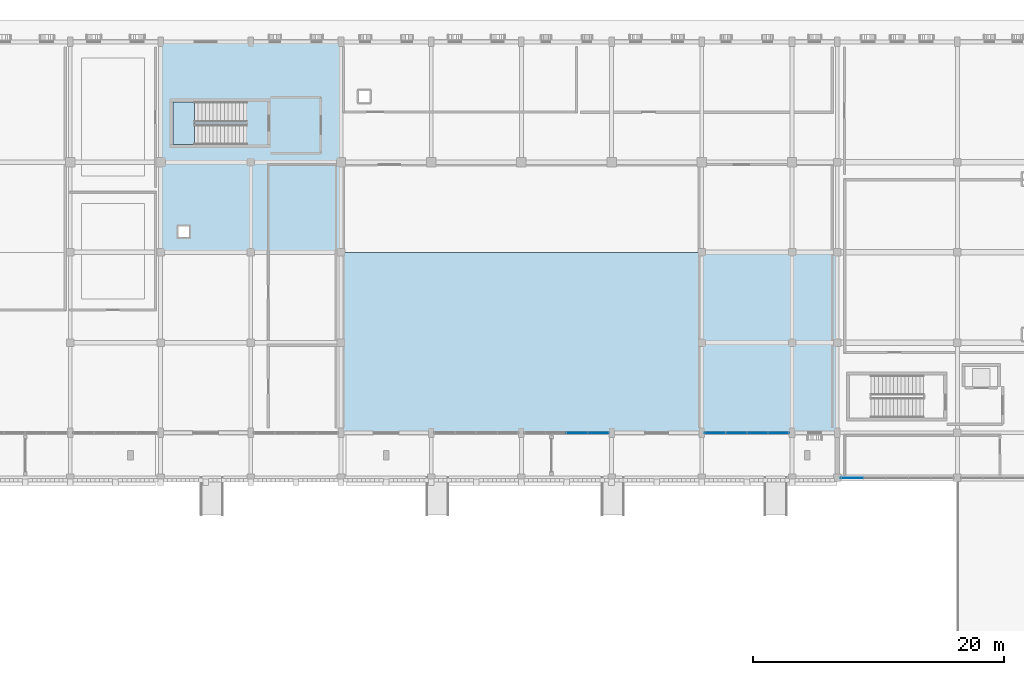
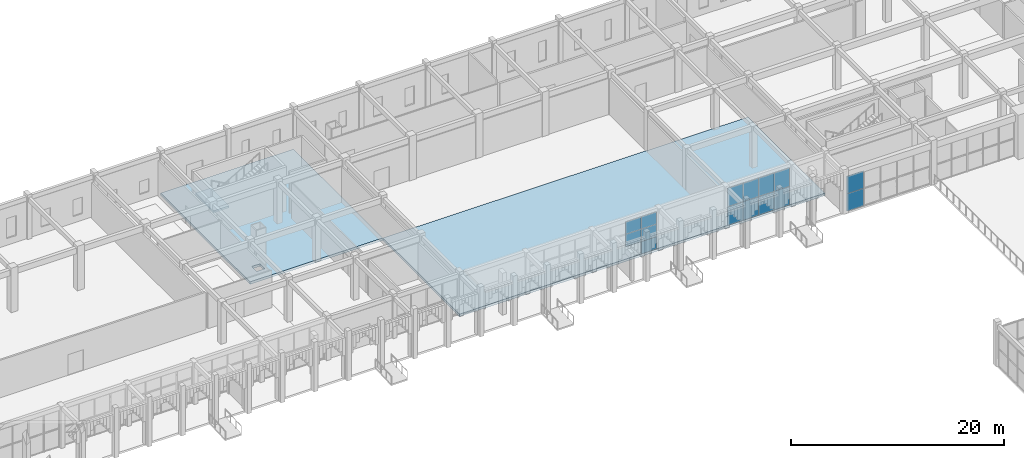
# One storey, part 31 of 72: 15 plates, 3 slabs, 4 elements without a shape of their own.
"""IFC4 building model written with IfcOpenShell, lengths in metres."""

from ifc_helpers import new_model, si_unit, direction, frame, origin, origin_2d, place, context, subcontext, project, spatial, polyline, rectangle, outline, extrude, material, layer, layer_set, type_object, element, aggregate, save


model = new_model("IFC4")

# Units and contexts
model_context = context("Model", 3, precision=1e-05, world=origin(), true_north=direction((0.0, 1.0)))
body_context = subcontext(model_context, "Body", "Model", "MODEL_VIEW")
ifc_project = project(units=[si_unit("LENGTHUNIT", "METRE"), si_unit("AREAUNIT", "SQUARE_METRE"), si_unit("VOLUMEUNIT", "CUBIC_METRE"), si_unit("PLANEANGLEUNIT", "RADIAN"), si_unit("MASSUNIT", "GRAM", prefix="KILO")], contexts=[model_context])

# Site, building, storey
site_placement = place(None, origin())
site = spatial("IfcSite", under=ifc_project, at=site_placement, CompositionType="ELEMENT")
building_placement = place(site_placement, origin())
building = spatial("IfcBuilding", under=site, at=building_placement, Name="Nzembalo Square Collegiate School", CompositionType="ELEMENT")
storey_placement = place(building_placement, origin())
storey = spatial("IfcBuildingStorey", under=building, at=storey_placement, Name="L00", CompositionType="ELEMENT", Elevation=0.0)

# Curtain wall, plates
ifc_material_1 = material(Name="Aluminium 6060-T66", Category="aluminium")
curtain_wall_type_1 = type_object("IfcCurtainWallType", Name="CW-02", PredefinedType="USERDEFINED", material=ifc_material_1)
curtain_wall_1_placement = place(storey_placement, origin())
curtain_wall_1 = element("IfcCurtainWall", 1, at=curtain_wall_1_placement, inside=storey, type_object=curtain_wall_type_1, Name="Curtain wall CW-02 cw:L00:033", ObjectType="UNITISED", PredefinedType="USERDEFINED")
ifc_material_2 = material(Name="Laminated solar-control double glazing", Category="glass")
ifc_layer_1 = layer(ifc_material_2, 0.028076171875, Name="Laminated solar-control double glazing")
ifc_layer_set_1 = layer_set([ifc_layer_1], Name="Laminated solar-control double glazing")
plate_type_1 = type_object("IfcPlateType", Name="PN01", PredefinedType="CURTAIN_PANEL", material=ifc_layer_set_1)
plate_1_placement = place(storey_placement, frame((111.729736328125, 82.800048828125, 0.004150390625), z_axis=(0.0, 0.0, 1.0), x_axis=(1.0, 0.0, 0.0)))
plate_1 = element("IfcPlate", 2, at=plate_1_placement, type_object=plate_type_1, Name="PN01 glazed panel 1-4", PredefinedType="CURTAIN_PANEL", context=body_context, shape_type="SweptSolid", body=[
    extrude(rectangle(XDim=1.678466796875, YDim=0.028076171875, at=origin_2d()), origin(), (0.0, 0.0, 1.0), 1.419921875),
])
plate_2_placement = place(storey_placement, frame((110.043212890625, 82.800048828125, 1.43212890625), z_axis=(0.0, 0.0, 1.0), x_axis=(1.0, 0.0, 0.0)))
plate_2 = element("IfcPlate", 3, at=plate_2_placement, type_object=plate_type_1, Name="PN01 glazed panel 2-3", PredefinedType="CURTAIN_PANEL", context=body_context, shape_type="SweptSolid", body=[
    extrude(rectangle(XDim=1.678466796875, YDim=0.028076171875, at=origin_2d()), origin(), (0.0, 0.0, 1.0), 1.419921875),
])
plate_3_placement = place(storey_placement, frame((111.729736328125, 82.800048828125, 1.43212890625), z_axis=(0.0, 0.0, 1.0), x_axis=(1.0, 0.0, 0.0)))
plate_3 = element("IfcPlate", 4, at=plate_3_placement, type_object=plate_type_1, Name="PN01 glazed panel 2-4", PredefinedType="CURTAIN_PANEL", context=body_context, shape_type="SweptSolid", body=[
    extrude(rectangle(XDim=1.678466796875, YDim=0.028076171875, at=origin_2d()), origin(), (0.0, 0.0, 1.0), 1.419921875),
])
plate_4_placement = place(storey_placement, frame((110.043212890625, 82.800048828125, 2.860107421875), z_axis=(0.0, 0.0, 1.0), x_axis=(1.0, 0.0, 0.0)))
plate_4 = element("IfcPlate", 5, at=plate_4_placement, type_object=plate_type_1, Name="PN01 glazed panel 3-3", PredefinedType="CURTAIN_PANEL", context=body_context, shape_type="SweptSolid", body=[
    extrude(rectangle(XDim=1.678466796875, YDim=0.028076171875, at=origin_2d()), origin(), (0.0, 0.0, 1.0), 1.419921875),
])
plate_5_placement = place(storey_placement, frame((111.729736328125, 82.800048828125, 2.860107421875), z_axis=(0.0, 0.0, 1.0), x_axis=(1.0, 0.0, 0.0)))
plate_5 = element("IfcPlate", 6, at=plate_5_placement, type_object=plate_type_1, Name="PN01 glazed panel 3-4", PredefinedType="CURTAIN_PANEL", context=body_context, shape_type="SweptSolid", body=[
    extrude(rectangle(XDim=1.678466796875, YDim=0.028076171875, at=origin_2d()), origin(), (0.0, 0.0, 1.0), 1.419921875),
])
aggregate(curtain_wall_1, [plate_1, plate_2, plate_3, plate_4, plate_5])

ifc_material_3 = material(Name="Aluminium 6060-T66", Category="aluminium")
curtain_wall_type_2 = type_object("IfcCurtainWallType", Name="CW-11", PredefinedType="USERDEFINED", material=ifc_material_3)
curtain_wall_2_placement = place(storey_placement, origin())
curtain_wall_2 = element("IfcCurtainWall", 7, at=curtain_wall_2_placement, inside=storey, type_object=curtain_wall_type_2, Name="Curtain wall CW-11 cw:L00:022", ObjectType="LANCET", PredefinedType="USERDEFINED")
ifc_material_4 = material(Name="Acoustic laminated solar-control glazing", Category="glass")
ifc_layer_2 = layer(ifc_material_4, 0.031982421875, Name="Acoustic laminated solar-control glazing")
ifc_layer_set_2 = layer_set([ifc_layer_2], Name="Acoustic laminated solar-control glazing")
plate_type_2 = type_object("IfcPlateType", Name="PN02", PredefinedType="CURTAIN_PANEL", material=ifc_layer_set_2)
plate_6_placement = place(storey_placement, frame((132.001708984375, 79.199951171875, 0.00390625), z_axis=(0.0, 0.0, 1.0), x_axis=(1.0, 0.0, 0.0)))
plate_6 = element("IfcPlate", 8, at=plate_6_placement, type_object=plate_type_2, Name="PN02 glazed panel 1-1", PredefinedType="CURTAIN_PANEL", context=body_context, shape_type="SweptSolid", body=[
    extrude(rectangle(XDim=1.791259765625, YDim=0.031982421875, at=origin_2d()), origin(), (0.0, 0.0, 1.0), 2.009033203125),
])
plate_7_placement = place(storey_placement, frame((132.001708984375, 79.199951171875, 2.02099609375), z_axis=(0.0, 0.0, 1.0), x_axis=(1.0, 0.0, 0.0)))
plate_7 = element("IfcPlate", 9, at=plate_7_placement, type_object=plate_type_2, Name="PN02 glazed panel 2-1", PredefinedType="CURTAIN_PANEL", context=body_context, shape_type="SweptSolid", body=[
    extrude(rectangle(XDim=1.791259765625, YDim=0.031982421875, at=origin_2d()), origin(), (0.0, 0.0, 1.0), 2.009033203125),
])
aggregate(curtain_wall_2, [plate_6, plate_7])

ifc_material_5 = material(Name="Aluminium 6060-T66", Category="aluminium")
curtain_wall_type_3 = type_object("IfcCurtainWallType", Name="CW-03", PredefinedType="USERDEFINED", material=ifc_material_5)
curtain_wall_3_placement = place(storey_placement, origin())
curtain_wall_3 = element("IfcCurtainWall", 10, at=curtain_wall_3_placement, inside=storey, type_object=curtain_wall_type_3, Name="Curtain wall CW-03 cw:L00:034", ObjectType="UNITISED", PredefinedType="USERDEFINED")
plate_8_placement = place(storey_placement, frame((121.0703125, 82.800048828125, 0.00390625), z_axis=(0.0, 0.0, 1.0), x_axis=(1.0, 0.0, 0.0)))
plate_8 = element("IfcPlate", 11, at=plate_8_placement, type_object=plate_type_2, Name="PN02 glazed panel 1-1", PredefinedType="CURTAIN_PANEL", context=body_context, shape_type="SweptSolid", body=[
    extrude(rectangle(XDim=1.678466796875, YDim=0.031982421875, at=origin_2d()), origin(), (0.0, 0.0, 1.0), 2.134033203125),
])
plate_9_placement = place(storey_placement, frame((122.7568359375, 82.800048828125, 0.00390625), z_axis=(0.0, 0.0, 1.0), x_axis=(1.0, 0.0, 0.0)))
plate_9 = element("IfcPlate", 12, at=plate_9_placement, type_object=plate_type_2, Name="PN02 glazed panel 1-2", PredefinedType="CURTAIN_PANEL", context=body_context, shape_type="SweptSolid", body=[
    extrude(rectangle(XDim=1.678466796875, YDim=0.031982421875, at=origin_2d()), origin(), (0.0, 0.0, 1.0), 2.134033203125),
])
plate_10_placement = place(storey_placement, frame((124.443359375, 82.800048828125, 0.00390625), z_axis=(0.0, 0.0, 1.0), x_axis=(1.0, 0.0, 0.0)))
plate_10 = element("IfcPlate", 13, at=plate_10_placement, type_object=plate_type_2, Name="PN02 glazed panel 1-3", PredefinedType="CURTAIN_PANEL", context=body_context, shape_type="SweptSolid", body=[
    extrude(rectangle(XDim=1.678466796875, YDim=0.031982421875, at=origin_2d()), origin(), (0.0, 0.0, 1.0), 2.134033203125),
])
plate_11_placement = place(storey_placement, frame((126.129638671875, 82.800048828125, 0.00390625), z_axis=(0.0, 0.0, 1.0), x_axis=(1.0, 0.0, 0.0)))
plate_11 = element("IfcPlate", 14, at=plate_11_placement, type_object=plate_type_2, Name="PN02 glazed panel 1-4", PredefinedType="CURTAIN_PANEL", context=body_context, shape_type="SweptSolid", body=[
    extrude(rectangle(XDim=1.678466796875, YDim=0.031982421875, at=origin_2d()), origin(), (0.0, 0.0, 1.0), 2.134033203125),
])
plate_12_placement = place(storey_placement, frame((121.0703125, 82.800048828125, 2.14599609375), z_axis=(0.0, 0.0, 1.0), x_axis=(1.0, 0.0, 0.0)))
plate_12 = element("IfcPlate", 15, at=plate_12_placement, type_object=plate_type_2, Name="PN02 glazed panel 2-1", PredefinedType="CURTAIN_PANEL", context=body_context, shape_type="SweptSolid", body=[
    extrude(rectangle(XDim=1.678466796875, YDim=0.031982421875, at=origin_2d()), origin(), (0.0, 0.0, 1.0), 2.134033203125),
])
plate_13_placement = place(storey_placement, frame((122.7568359375, 82.800048828125, 2.14599609375), z_axis=(0.0, 0.0, 1.0), x_axis=(1.0, 0.0, 0.0)))
plate_13 = element("IfcPlate", 16, at=plate_13_placement, type_object=plate_type_2, Name="PN02 glazed panel 2-2", PredefinedType="CURTAIN_PANEL", context=body_context, shape_type="SweptSolid", body=[
    extrude(rectangle(XDim=1.678466796875, YDim=0.031982421875, at=origin_2d()), origin(), (0.0, 0.0, 1.0), 2.134033203125),
])
plate_14_placement = place(storey_placement, frame((124.443359375, 82.800048828125, 2.14599609375), z_axis=(0.0, 0.0, 1.0), x_axis=(1.0, 0.0, 0.0)))
plate_14 = element("IfcPlate", 17, at=plate_14_placement, type_object=plate_type_2, Name="PN02 glazed panel 2-3", PredefinedType="CURTAIN_PANEL", context=body_context, shape_type="SweptSolid", body=[
    extrude(rectangle(XDim=1.678466796875, YDim=0.031982421875, at=origin_2d()), origin(), (0.0, 0.0, 1.0), 2.134033203125),
])
plate_15_placement = place(storey_placement, frame((126.129638671875, 82.800048828125, 2.14599609375), z_axis=(0.0, 0.0, 1.0), x_axis=(1.0, 0.0, 0.0)))
plate_15 = element("IfcPlate", 18, at=plate_15_placement, type_object=plate_type_2, Name="PN02 glazed panel 2-4", PredefinedType="CURTAIN_PANEL", context=body_context, shape_type="SweptSolid", body=[
    extrude(rectangle(XDim=1.678466796875, YDim=0.031982421875, at=origin_2d()), origin(), (0.0, 0.0, 1.0), 2.134033203125),
])
aggregate(curtain_wall_3, [plate_8, plate_9, plate_10, plate_11, plate_12, plate_13, plate_14, plate_15])

# Stair, slab
ifc_material_6 = material(Name="Precast concrete C40/50", Category="concrete")
stair_type = type_object("IfcStairType", Name="ST-30R", PredefinedType="HALF_TURN_STAIR", material=ifc_material_6)
stair_placement = place(storey_placement, origin())
stair = element("IfcStair", 19, at=stair_placement, inside=storey, type_object=stair_type, Name="Escape stair ST-10 (C3 L00)", PredefinedType="HALF_TURN_STAIR")
ifc_material_7 = material(Name="Precast concrete C40/50", Category="concrete")
ifc_layer_3 = layer(ifc_material_7, 0.199951171875, Name="Precast concrete C40/50")
ifc_layer_set_3 = layer_set([ifc_layer_3], Name="Precast concrete C40/50")
slab_type_1 = type_object("IfcSlabType", Name="SL-LDG", PredefinedType="LANDING", material=ifc_layer_set_3)
slab_1_placement = place(storey_placement, frame((0.0, 0.0, 2.35009765625)))
slab_1 = element("IfcSlab", 20, at=slab_1_placement, type_object=slab_type_1, Name="ST-10 landing 1", PredefinedType="LANDING", context=body_context, shape_type="SweptSolid", body=[
    extrude(outline(polyline([(79.5, 109.199951171875), (77.800048828125, 109.199951171875), (77.800048828125, 105.800048828125), (79.5, 105.800048828125), (79.5, 109.199951171875)])), origin(), (0.0, 0.0, 1.0), 0.199951171875),
])
aggregate(stair, [slab_1])

# Slabs
ifc_material_8 = material(Name="Concrete C35/45", Category="concrete")
ifc_layer_4 = layer(ifc_material_8, 0.280029296875, Name="Concrete C35/45")
ifc_layer_set_4 = layer_set([ifc_layer_4], Name="Concrete C35/45")
slab_type_2 = type_object("IfcSlabType", Name="SL-00", PredefinedType="FLOOR", material=ifc_layer_set_4)
slab_2_placement = place(storey_placement, frame((0.0, 0.0, -0.280029296875)))
element("IfcSlab", 21, at=slab_2_placement, inside=storey, type_object=slab_type_2, Name="Slab SL-L00-13", PredefinedType="FLOOR", context=body_context, shape_type="SweptSolid", body=[
    extrude(outline(polyline([(76.800048828125, 97.199951171875), (91.199951171875, 97.199951171875), (91.199951171875, 114.0), (76.800048828125, 114.0), (76.800048828125, 97.199951171875)]), holes=[polyline([(78.199951171875, 98.39990234375), (79.10009765625, 98.39990234375), (79.10009765625, 99.300048828125), (78.199951171875, 99.300048828125), (78.199951171875, 98.39990234375)])]), origin(), (0.0, 0.0, 1.0), 0.280029296875),
])
slab_3_placement = place(storey_placement, frame((0.0, 0.0, -0.280029296875)))
element("IfcSlab", 22, at=slab_3_placement, inside=storey, type_object=slab_type_2, Name="Slab SL-L00-14", PredefinedType="FLOOR", context=body_context, shape_type="SweptSolid", body=[
    extrude(outline(polyline([(91.199951171875, 82.800048828125), (130.800048828125, 82.800048828125), (130.800048828125, 97.199951171875), (91.199951171875, 97.199951171875), (91.199951171875, 82.800048828125)])), origin(), (0.0, 0.0, 1.0), 0.280029296875),
])

save(model, "model.ifc")
